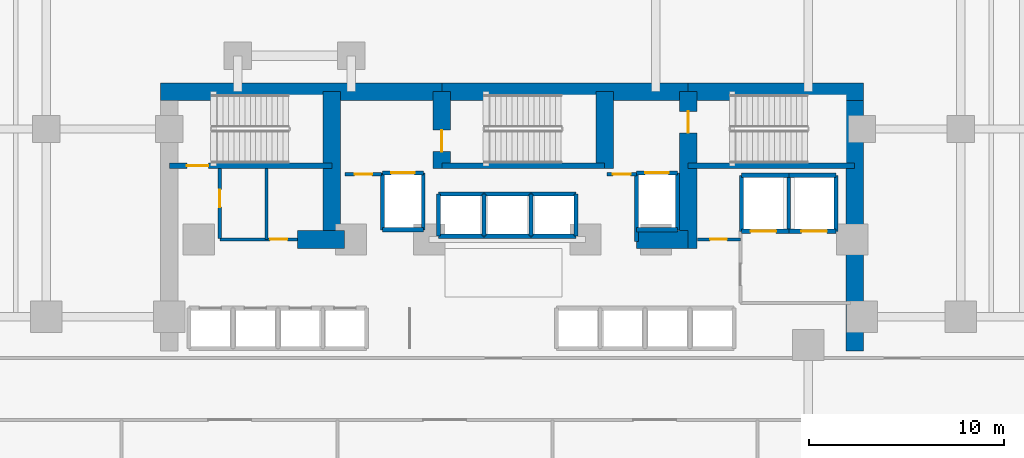
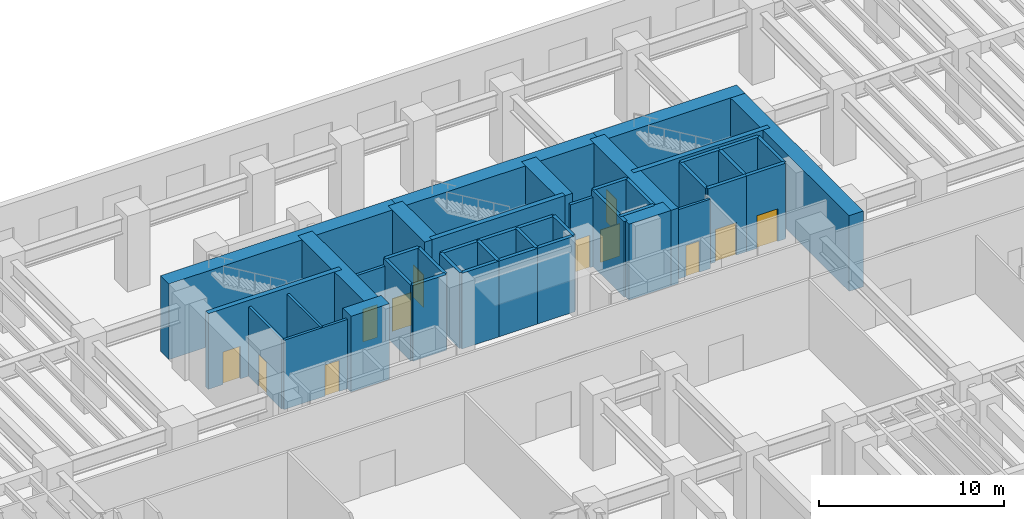
# One storey, part 14 of 20: 44 walls, 12 doors, 12 openings.
"""IFC4 building model written with IfcOpenShell, lengths in metres."""

from ifc_helpers import new_model, si_unit, direction, frame, frame_2d, origin, place, context, subcontext, project, spatial, rectangle, extrude, material, layer, layer_set, type_object, element, fill, save


model = new_model("IFC4")

# Units and contexts
model_context = context("Model", 3, precision=1e-05, world=origin(), true_north=direction((0.0, 1.0)))
body_context = subcontext(model_context, "Body", "Model", "MODEL_VIEW")
ifc_project = project(units=[si_unit("LENGTHUNIT", "METRE"), si_unit("AREAUNIT", "SQUARE_METRE"), si_unit("VOLUMEUNIT", "CUBIC_METRE"), si_unit("PLANEANGLEUNIT", "RADIAN"), si_unit("MASSUNIT", "GRAM", prefix="KILO")], contexts=[model_context])

# Site, building, storey
site_placement = place(None, origin())
site = spatial("IfcSite", under=ifc_project, at=site_placement, CompositionType="ELEMENT")
building_placement = place(site_placement, origin())
building = spatial("IfcBuilding", under=site, at=building_placement, Name="Kestravale Grand Hotel", CompositionType="ELEMENT")
storey_placement = place(building_placement, frame((0.0, 0.0, 15.800048828125)))
storey = spatial("IfcBuildingStorey", under=building, at=storey_placement, Name="L03", CompositionType="ELEMENT", Elevation=15.800048828125)

# Walls
ifc_material_1 = material(Name="Concrete f'c 70 MPa", Category="concrete")
ifc_layer_1 = layer(ifc_material_1, 0.89990234375)
ifc_layer_set_1 = layer_set([ifc_layer_1], Name="EW-CORE-900")
wall_type_1 = type_object("IfcWallType", Name="EW-CORE-900", PredefinedType="SHEAR", material=ifc_layer_set_1)
wall_1_placement = place(storey_placement, frame((21.449951171875, 40.320068359375, 0.0), z_axis=(0.0, 0.0, 1.0), x_axis=(1.0, 0.0, 0.0)))
element("IfcWall", 1, at=wall_1_placement, inside=storey, type_object=wall_type_1, Name="L03 core shear wall N1", PredefinedType="SHEAR", context=body_context, shape_type="SweptSolid", body=[
    extrude(rectangle(XDim=14.400146484375, YDim=0.89990234375, at=frame_2d((7.2001953125, 0.0))), origin(), (0.0, 0.0, 1.0), 5.0),
])
wall_2_placement = place(storey_placement, frame((35.85009765625, 40.320068359375, 0.0), z_axis=(0.0, 0.0, 1.0), x_axis=(1.0, 0.0, 0.0)))
element("IfcWall", 2, at=wall_2_placement, inside=storey, type_object=wall_type_1, Name="L03 core shear wall N2", PredefinedType="SHEAR", context=body_context, shape_type="SweptSolid", body=[
    extrude(rectangle(XDim=12.599853515625, YDim=0.89990234375, at=frame_2d((6.2998046875, 0.0))), origin(), (0.0, 0.0, 1.0), 5.0),
])
wall_3_placement = place(storey_placement, frame((48.449951171875, 40.320068359375, 0.0), z_axis=(0.0, 0.0, 1.0), x_axis=(1.0, 0.0, 0.0)))
element("IfcWall", 3, at=wall_3_placement, inside=storey, type_object=wall_type_1, Name="L03 core shear wall N3", PredefinedType="SHEAR", context=body_context, shape_type="SweptSolid", body=[
    extrude(rectangle(XDim=8.969970703125, YDim=0.89990234375, at=frame_2d((4.48486328125, 0.0))), origin(), (0.0, 0.0, 1.0), 5.0),
])
wall_4_placement = place(storey_placement, frame((56.969970703125, 27.050048828125, 0.0), z_axis=(0.0, 0.0, 1.0), x_axis=(0.0, 1.0, 0.0)))
element("IfcWall", 4, at=wall_4_placement, inside=storey, type_object=wall_type_1, Name="L03 core shear wall E1", PredefinedType="SHEAR", context=body_context, shape_type="SweptSolid", body=[
    extrude(rectangle(XDim=13.719970703125, YDim=0.89990234375, at=frame_2d((6.85986328125, 0.0))), origin(), (0.0, 0.0, 1.0), 5.0),
])
wall_5_placement = place(storey_placement, frame((28.449951171875, 32.75, 0.0), z_axis=(0.0, 0.0, 1.0), x_axis=(1.0, 0.0, 0.0)))
element("IfcWall", 5, at=wall_5_placement, inside=storey, type_object=wall_type_1, Name="L03 core shear wall S1", PredefinedType="SHEAR", context=body_context, shape_type="SweptSolid", body=[
    extrude(rectangle(XDim=2.400146484375, YDim=0.89990234375, at=frame_2d((1.2001953125, 0.0))), origin(), (0.0, 0.0, 1.0), 5.0),
])
wall_6_placement = place(storey_placement, frame((45.81005859375, 32.75, 0.0), z_axis=(0.0, 0.0, 1.0), x_axis=(1.0, 0.0, 0.0)))
element("IfcWall", 6, at=wall_6_placement, inside=storey, type_object=wall_type_1, Name="L03 core shear wall S2", PredefinedType="SHEAR", context=body_context, shape_type="SweptSolid", body=[
    extrude(rectangle(XDim=2.639892578125, YDim=0.89990234375, at=frame_2d((1.31982421875, 0.0))), origin(), (0.0, 0.0, 1.0), 5.0),
])
wall_7_placement = place(storey_placement, frame((30.219970703125, 33.199951171875, 0.0), z_axis=(0.0, 0.0, 1.0), x_axis=(0.0, 1.0, 0.0)))
element("IfcWall", 7, at=wall_7_placement, inside=storey, type_object=wall_type_1, Name="L03 core shear wall X1", PredefinedType="SHEAR", context=body_context, shape_type="SweptSolid", body=[
    extrude(rectangle(XDim=7.1201171875, YDim=0.89990234375, at=frame_2d((3.56005859375, 0.0))), origin(), (0.0, 0.0, 1.0), 5.0),
])

# Wall, opening, door
wall_8_placement = place(storey_placement, frame((35.85009765625, 36.3701171875, 0.0), z_axis=(0.0, 0.0, 1.0), x_axis=(0.0, 1.0, 0.0)))
wall_8 = element("IfcWall", 8, at=wall_8_placement, inside=storey, type_object=wall_type_1, Name="L03 core shear wall X2", PredefinedType="SHEAR", context=body_context, shape_type="SweptSolid", body=[
    extrude(rectangle(XDim=3.949951171875, YDim=0.89990234375, at=frame_2d((1.97509765625, 0.0))), origin(), (0.0, 0.0, 1.0), 5.0),
])
opening_1_placement = place(wall_8_placement, frame((0.8798828125, 0.0, 0.0)))
opening_1 = element("IfcOpeningElement", 9, at=opening_1_placement, cuts=wall_8, Name="Opening D-ST-1100", PredefinedType="OPENING", context=body_context, shape_type="SweptSolid", body=[
    extrude(rectangle(XDim=1.10009765625, YDim=2.14990234375, at=frame_2d((0.550048828125, 1.074951171875))), frame((0.0, 0.4599609375, 0.0), z_axis=(0.0, -1.0, 0.0), x_axis=(1.0, 0.0, 0.0)), (0.0, 0.0, 1.0), 0.919921875),
])
ifc_material_2 = material(Name="Galvanised 90-minute fire-rated steel stair door", Category="steel")
door_type_1 = type_object("IfcDoorType", Name="D-ST-1100", OperationType="NOTDEFINED", PredefinedType="DOOR", material=ifc_material_2)
door_1_placement = place(opening_1_placement, origin())
door_1 = element("IfcDoor", 10, at=door_1_placement, inside=storey, type_object=door_type_1, Name="L03 Stair ST-2 FSAE fire door", OperationType="SINGLE_SWING_RIGHT", OverallHeight=2.14990234375, OverallWidth=1.10009765625, PredefinedType="DOOR", context=body_context, shape_type="SweptSolid", body=[
    extrude(rectangle(XDim=1.10009765625, YDim=2.14990234375, at=frame_2d((0.550048828125, 1.074951171875))), frame((0.0, 0.02490234375, 0.0), z_axis=(0.0, -1.0, 0.0), x_axis=(1.0, 0.0, 0.0)), (0.0, 0.0, 1.0), 0.050048828125),
])
fill(opening_1, door_1)

# Wall
wall_9_placement = place(storey_placement, frame((44.179931640625, 36.3701171875, 0.0), z_axis=(0.0, 0.0, 1.0), x_axis=(0.0, 1.0, 0.0)))
element("IfcWall", 11, at=wall_9_placement, inside=storey, type_object=wall_type_1, Name="L03 core shear wall X3", PredefinedType="SHEAR", context=body_context, shape_type="SweptSolid", body=[
    extrude(rectangle(XDim=3.949951171875, YDim=0.89990234375, at=frame_2d((1.97509765625, 0.0))), origin(), (0.0, 0.0, 1.0), 5.0),
])

# Wall, opening, door
wall_10_placement = place(storey_placement, frame((48.449951171875, 32.300048828125, 0.0), z_axis=(0.0, 0.0, 1.0), x_axis=(0.0, 1.0, 0.0)))
wall_10 = element("IfcWall", 12, at=wall_10_placement, inside=storey, type_object=wall_type_1, Name="L03 core shear wall X4", PredefinedType="SHEAR", context=body_context, shape_type="SweptSolid", body=[
    extrude(rectangle(XDim=8.02001953125, YDim=0.89990234375, at=frame_2d((4.010009765625, 0.0))), origin(), (0.0, 0.0, 1.0), 5.0),
])
opening_2_placement = place(wall_10_placement, frame((5.89990234375, 0.0, 0.0)))
opening_2 = element("IfcOpeningElement", 13, at=opening_2_placement, cuts=wall_10, Name="Opening D-ST-1100", PredefinedType="OPENING", context=body_context, shape_type="SweptSolid", body=[
    extrude(rectangle(XDim=1.10009765625, YDim=2.14990234375, at=frame_2d((0.550048828125, 1.074951171875))), frame((0.0, 0.4599609375, 0.0), z_axis=(0.0, -1.0, 0.0), x_axis=(1.0, 0.0, 0.0)), (0.0, 0.0, 1.0), 0.919921875),
])
door_2_placement = place(opening_2_placement, origin())
door_2 = element("IfcDoor", 14, at=door_2_placement, inside=storey, type_object=door_type_1, Name="L03 Stair ST-3 FSAE fire door", OperationType="SINGLE_SWING_RIGHT", OverallHeight=2.14990234375, OverallWidth=1.10009765625, PredefinedType="DOOR", context=body_context, shape_type="SweptSolid", body=[
    extrude(rectangle(XDim=1.10009765625, YDim=2.14990234375, at=frame_2d((0.550048828125, 1.074951171875))), frame((0.0, 0.02490234375, 0.0), z_axis=(0.0, -1.0, 0.0), x_axis=(1.0, 0.0, 0.0)), (0.0, 0.0, 1.0), 0.050048828125),
])
fill(opening_2, door_2)

ifc_material_3 = material(Name="Concrete f'c 45 MPa", Category="concrete")
ifc_layer_2 = layer(ifc_material_3, 0.300048828125)
ifc_layer_set_2 = layer_set([ifc_layer_2], Name="EW-STAIR-300")
wall_type_2 = type_object("IfcWallType", Name="EW-STAIR-300", PredefinedType="SHEAR", material=ifc_layer_set_2)
wall_11_placement = place(storey_placement, frame((21.89990234375, 36.52001953125, 0.0), z_axis=(0.0, 0.0, 1.0), x_axis=(1.0, 0.0, 0.0)))
wall_11 = element("IfcWall", 15, at=wall_11_placement, inside=storey, type_object=wall_type_2, Name="L03 stair enclosure shear wall SST1", PredefinedType="SHEAR", context=body_context, shape_type="SweptSolid", body=[
    extrude(rectangle(XDim=8.320068359375, YDim=0.300048828125, at=frame_2d((4.16015625, 0.0))), origin(), (0.0, 0.0, 1.0), 5.0),
])
opening_3_placement = place(wall_11_placement, frame((0.89990234375, 0.0, 0.0)))
opening_3 = element("IfcOpeningElement", 16, at=opening_3_placement, cuts=wall_11, Name="Opening D-ST-1100", PredefinedType="OPENING", context=body_context, shape_type="SweptSolid", body=[
    extrude(rectangle(XDim=1.10009765625, YDim=2.14990234375, at=frame_2d((0.550048828125, 1.074951171875))), frame((0.0, 0.159912109375, 0.0), z_axis=(0.0, -1.0, 0.0), x_axis=(1.0, 0.0, 0.0)), (0.0, 0.0, 1.0), 0.320068359375),
])
door_3_placement = place(opening_3_placement, origin())
door_3 = element("IfcDoor", 17, at=door_3_placement, inside=storey, type_object=door_type_1, Name="L03 Stair ST-1 fire door", OperationType="SINGLE_SWING_RIGHT", OverallHeight=2.14990234375, OverallWidth=1.10009765625, PredefinedType="DOOR", context=body_context, shape_type="SweptSolid", body=[
    extrude(rectangle(XDim=1.10009765625, YDim=2.14990234375, at=frame_2d((0.550048828125, 1.074951171875))), frame((0.0, 0.02490234375, 0.0), z_axis=(0.0, -1.0, 0.0), x_axis=(1.0, 0.0, 0.0)), (0.0, 0.0, 1.0), 0.050048828125),
])
fill(opening_3, door_3)

# Walls
wall_12_placement = place(storey_placement, frame((35.85009765625, 36.52001953125, 0.0), z_axis=(0.0, 0.0, 1.0), x_axis=(1.0, 0.0, 0.0)))
element("IfcWall", 18, at=wall_12_placement, inside=storey, type_object=wall_type_2, Name="L03 stair enclosure shear wall SST2", PredefinedType="SHEAR", context=body_context, shape_type="SweptSolid", body=[
    extrude(rectangle(XDim=8.329833984375, YDim=0.300048828125, at=frame_2d((4.1650390625, 0.0))), origin(), (0.0, 0.0, 1.0), 5.0),
])
wall_13_placement = place(storey_placement, frame((48.449951171875, 36.52001953125, 0.0), z_axis=(0.0, 0.0, 1.0), x_axis=(1.0, 0.0, 0.0)))
element("IfcWall", 19, at=wall_13_placement, inside=storey, type_object=wall_type_2, Name="L03 stair enclosure shear wall SST3", PredefinedType="SHEAR", context=body_context, shape_type="SweptSolid", body=[
    extrude(rectangle(XDim=8.52001953125, YDim=0.300048828125, at=frame_2d((4.260009765625, 0.0))), origin(), (0.0, 0.0, 1.0), 5.0),
])

# Wall, opening, door
ifc_material_4 = material(Name="Acoustic fire-rated gypsum board partition", Category="other")
ifc_layer_3 = layer(ifc_material_4, 0.159912109375)
ifc_layer_set_3 = layer_set([ifc_layer_3], Name="IW-CORR-160")
wall_type_3 = type_object("IfcWallType", Name="IW-CORR-160", PredefinedType="PARTITIONING", material=ifc_layer_set_3)
wall_14_placement = place(storey_placement, frame((24.47998046875, 32.800048828125, 0.0), z_axis=(0.0, 0.0, 1.0), x_axis=(0.0, 1.0, 0.0)))
wall_14 = element("IfcWall", 20, at=wall_14_placement, inside=storey, type_object=wall_type_3, Name="L03 west core vestibule wall", PredefinedType="PARTITIONING", context=body_context, shape_type="SweptSolid", body=[
    extrude(rectangle(XDim=3.570068359375, YDim=0.159912109375, at=frame_2d((1.78515625, 0.0))), origin(), (0.0, 0.0, 1.0), 4.579833984375),
])
opening_4_placement = place(wall_14_placement, frame((1.603515625, 0.0, 0.0)))
opening_4 = element("IfcOpeningElement", 21, at=opening_4_placement, cuts=wall_14, Name="Opening D-SH-900", PredefinedType="OPENING", context=body_context, shape_type="SweptSolid", body=[
    extrude(rectangle(XDim=0.89990234375, YDim=2.10009765625, at=frame_2d((0.449951171875, 1.050048828125))), frame((0.0, 0.08984375, 0.0), z_axis=(0.0, -1.0, 0.0), x_axis=(1.0, 0.0, 0.0)), (0.0, 0.0, 1.0), 0.179931640625),
])
ifc_material_5 = material(Name="Galvanised 90-minute shaft and service fire door", Category="steel")
door_type_2 = type_object("IfcDoorType", Name="D-SH-900", OperationType="NOTDEFINED", PredefinedType="DOOR", material=ifc_material_5)
door_4_placement = place(opening_4_placement, origin())
door_4 = element("IfcDoor", 22, at=door_4_placement, inside=storey, type_object=door_type_2, Name="D-L03-HK", OperationType="SINGLE_SWING_RIGHT", OverallHeight=2.10009765625, OverallWidth=0.89990234375, PredefinedType="DOOR", context=body_context, shape_type="SweptSolid", body=[
    extrude(rectangle(XDim=0.89990234375, YDim=2.10009765625, at=frame_2d((0.449951171875, 1.050048828125))), frame((0.0, 0.02490234375, 0.0), z_axis=(0.0, -1.0, 0.0), x_axis=(1.0, 0.0, 0.0)), (0.0, 0.0, 1.0), 0.050048828125),
])
fill(opening_4, door_4)

wall_15_placement = place(storey_placement, frame((24.47998046875, 32.75, 0.0), z_axis=(0.0, 0.0, 1.0), x_axis=(1.0, 0.0, 0.0)))
wall_15 = element("IfcWall", 23, at=wall_15_placement, inside=storey, type_object=wall_type_3, Name="W-L03-CWS", PredefinedType="PARTITIONING", context=body_context, shape_type="SweptSolid", body=[
    extrude(rectangle(XDim=3.969970703125, YDim=0.159912109375, at=frame_2d((1.98486328125, 0.0))), origin(), (0.0, 0.0, 1.0), 4.579833984375),
])
opening_5_placement = place(wall_15_placement, frame((2.574951171875, 0.0, 0.0)))
opening_5 = element("IfcOpeningElement", 24, at=opening_5_placement, cuts=wall_15, Name="Opening D-BATH-880", PredefinedType="OPENING", context=body_context, shape_type="SweptSolid", body=[
    extrude(rectangle(XDim=0.8798828125, YDim=2.050048828125, at=frame_2d((0.43994140625, 1.02490234375))), frame((0.0, 0.08984375, 0.0), z_axis=(0.0, -1.0, 0.0), x_axis=(1.0, 0.0, 0.0)), (0.0, 0.0, 1.0), 0.179931640625),
])
ifc_material_6 = material(Name="Moisture-sealed walnut en-suite bathroom door", Category="wood")
door_type_3 = type_object("IfcDoorType", Name="D-BATH-880", OperationType="NOTDEFINED", PredefinedType="DOOR", material=ifc_material_6)
door_5_placement = place(opening_5_placement, origin())
door_5 = element("IfcDoor", 25, at=door_5_placement, inside=storey, type_object=door_type_3, Name="D-L03-SWC", OperationType="SINGLE_SWING_RIGHT", OverallHeight=2.050048828125, OverallWidth=0.8798828125, PredefinedType="DOOR", context=body_context, shape_type="SweptSolid", body=[
    extrude(rectangle(XDim=0.8798828125, YDim=2.050048828125, at=frame_2d((0.43994140625, 1.02490234375))), frame((0.0, 0.02490234375, 0.0), z_axis=(0.0, -1.0, 0.0), x_axis=(1.0, 0.0, 0.0)), (0.0, 0.0, 1.0), 0.050048828125),
])
fill(opening_5, door_5)

wall_16_placement = place(storey_placement, frame((48.919921875, 32.75, 0.0), z_axis=(0.0, 0.0, 1.0), x_axis=(1.0, 0.0, 0.0)))
wall_16 = element("IfcWall", 26, at=wall_16_placement, inside=storey, type_object=wall_type_3, Name="W-L03-CES", PredefinedType="PARTITIONING", context=body_context, shape_type="SweptSolid", body=[
    extrude(rectangle(XDim=2.2001953125, YDim=0.159912109375, at=frame_2d((1.10009765625, 0.0))), origin(), (0.0, 0.0, 1.0), 4.579833984375),
])
opening_6_placement = place(wall_16_placement, frame((0.64990234375, 0.0, 0.0)))
opening_6 = element("IfcOpeningElement", 27, at=opening_6_placement, cuts=wall_16, Name="Opening D-SH-860", PredefinedType="OPENING", context=body_context, shape_type="SweptSolid", body=[
    extrude(rectangle(XDim=0.860107421875, YDim=2.050048828125, at=frame_2d((0.43017578125, 1.02490234375))), frame((0.0, 0.08984375, 0.0), z_axis=(0.0, -1.0, 0.0), x_axis=(1.0, 0.0, 0.0)), (0.0, 0.0, 1.0), 0.179931640625),
])
ifc_material_7 = material(Name="Galvanised 90-minute riser fire door", Category="steel")
door_type_4 = type_object("IfcDoorType", Name="D-SH-860", OperationType="NOTDEFINED", PredefinedType="DOOR", material=ifc_material_7)
door_6_placement = place(opening_6_placement, origin())
door_6 = element("IfcDoor", 28, at=door_6_placement, inside=storey, type_object=door_type_4, Name="L03 CSTO1 door", OperationType="SINGLE_SWING_RIGHT", OverallHeight=2.050048828125, OverallWidth=0.860107421875, PredefinedType="DOOR", context=body_context, shape_type="SweptSolid", body=[
    extrude(rectangle(XDim=0.860107421875, YDim=2.050048828125, at=frame_2d((0.43017578125, 1.02490234375))), frame((0.0, 0.02490234375, 0.0), z_axis=(0.0, -1.0, 0.0), x_axis=(1.0, 0.0, 0.0)), (0.0, 0.0, 1.0), 0.050048828125),
])
fill(opening_6, door_6)

ifc_material_8 = material(Name="Fire-rated gypsum board on steel studs with mineral wool", Category="steel")
ifc_layer_4 = layer(ifc_material_8, 0.179931640625)
ifc_layer_set_4 = layer_set([ifc_layer_4], Name="IW-FSAE-180")
wall_type_4 = type_object("IfcWallType", Name="IW-FSAE-180", PredefinedType="PARTITIONING", material=ifc_layer_set_4)
wall_17_placement = place(storey_placement, frame((30.89990234375, 36.080078125, 0.0), z_axis=(0.0, 0.0, 1.0), x_axis=(1.0, 0.0, 0.0)))
wall_17 = element("IfcWall", 29, at=wall_17_placement, inside=storey, type_object=wall_type_4, Name="L03 FSAE Lobby 1 smoke barrier", PredefinedType="PARTITIONING", context=body_context, shape_type="SweptSolid", body=[
    extrude(rectangle(XDim=1.85009765625, YDim=0.179931640625, at=frame_2d((0.925048828125, 0.0))), origin(), (0.0, 0.0, 1.0), 4.579833984375),
])
opening_7_placement = place(wall_17_placement, frame((0.47998046875, 0.0, 0.0)))
opening_7 = element("IfcOpeningElement", 30, at=opening_7_placement, cuts=wall_17, Name="Opening D-FSAE-1000", PredefinedType="OPENING", context=body_context, shape_type="SweptSolid", body=[
    extrude(rectangle(XDim=0.89990234375, YDim=2.14990234375, at=frame_2d((0.449951171875, 1.074951171875))), frame((0.0, 0.099853515625, 0.0), z_axis=(0.0, -1.0, 0.0), x_axis=(1.0, 0.0, 0.0)), (0.0, 0.0, 1.0), 0.199951171875),
])
ifc_material_9 = material(Name="Smoke-gasketed FSAE lobby fire door", Category="steel")
door_type_5 = type_object("IfcDoorType", Name="D-FSAE-1000", OperationType="NOTDEFINED", PredefinedType="DOOR", material=ifc_material_9)
door_7_placement = place(opening_7_placement, origin())
door_7 = element("IfcDoor", 31, at=door_7_placement, inside=storey, type_object=door_type_5, Name="L03 FSAE Lobby 1 fire door", OperationType="SINGLE_SWING_RIGHT", OverallHeight=2.14990234375, OverallWidth=0.89990234375, PredefinedType="DOOR", context=body_context, shape_type="SweptSolid", body=[
    extrude(rectangle(XDim=0.89990234375, YDim=2.14990234375, at=frame_2d((0.449951171875, 1.074951171875))), frame((0.0, 0.02490234375, 0.0), z_axis=(0.0, -1.0, 0.0), x_axis=(1.0, 0.0, 0.0)), (0.0, 0.0, 1.0), 0.050048828125),
])
fill(opening_7, door_7)

wall_18_placement = place(storey_placement, frame((44.300048828125, 36.080078125, 0.0), z_axis=(0.0, 0.0, 1.0), x_axis=(1.0, 0.0, 0.0)))
wall_18 = element("IfcWall", 32, at=wall_18_placement, inside=storey, type_object=wall_type_4, Name="L03 FSAE Lobby 2 smoke barrier", PredefinedType="PARTITIONING", context=body_context, shape_type="SweptSolid", body=[
    extrude(rectangle(XDim=1.5, YDim=0.179931640625, at=frame_2d((0.75, 0.0))), origin(), (0.0, 0.0, 1.0), 4.579833984375),
])
opening_8_placement = place(wall_18_placement, frame((0.300048828125, 0.0, 0.0)))
opening_8 = element("IfcOpeningElement", 33, at=opening_8_placement, cuts=wall_18, Name="Opening D-FSAE-1000", PredefinedType="OPENING", context=body_context, shape_type="SweptSolid", body=[
    extrude(rectangle(XDim=0.89990234375, YDim=2.14990234375, at=frame_2d((0.449951171875, 1.074951171875))), frame((0.0, 0.099853515625, 0.0), z_axis=(0.0, -1.0, 0.0), x_axis=(1.0, 0.0, 0.0)), (0.0, 0.0, 1.0), 0.199951171875),
])
door_8_placement = place(opening_8_placement, origin())
door_8 = element("IfcDoor", 34, at=door_8_placement, inside=storey, type_object=door_type_5, Name="L03 FSAE Lobby 2 fire door", OperationType="SINGLE_SWING_LEFT", OverallHeight=2.14990234375, OverallWidth=0.89990234375, PredefinedType="DOOR", context=body_context, shape_type="SweptSolid", body=[
    extrude(rectangle(XDim=0.89990234375, YDim=2.14990234375, at=frame_2d((0.449951171875, 1.074951171875))), frame((0.0, 0.02490234375, 0.0), z_axis=(0.0, -1.0, 0.0), x_axis=(1.0, 0.0, 0.0)), (0.0, 0.0, 1.0), 0.050048828125),
])
fill(opening_8, door_8)

# Walls
ifc_material_10 = material(Name="Concrete f'c 45 MPa", Category="concrete")
ifc_layer_5 = layer(ifc_material_10, 0.199951171875)
ifc_layer_set_5 = layer_set([ifc_layer_5], Name="IW-SHAFT-200")
wall_type_5 = type_object("IfcWallType", Name="IW-SHAFT-200", PredefinedType="SHEAR", material=ifc_layer_set_5)
for number, where, z_axis, x_axis, name in (
    (35, (35.679931640625, 32.919921875, 0.0), (0.0, 0.0, 1.0), (0.0, 1.0, 0.0), "L03 PL-X1 west shaft wall"),
    (36, (38.0, 32.919921875, 0.0), (0.0, 0.0, 1.0), (0.0, 1.0, 0.0), "L03 PL-X2 west shaft wall"),
    (37, (40.39990234375, 32.919921875, 0.0), (0.0, 0.0, 1.0), (0.0, 1.0, 0.0), "L03 PL-X3 west shaft wall"),
    (38, (42.719970703125, 32.919921875, 0.0), (0.0, 0.0, 1.0), (0.0, 1.0, 0.0), "L03 PL-X3 east shaft wall"),
):
    element("IfcWall", number, at=place(storey_placement, frame(where, z_axis=z_axis, x_axis=x_axis)), inside=storey, type_object=wall_type_5, Name=name, PredefinedType="SHEAR", context=body_context, shape_type="SweptSolid", body=[
        extrude(rectangle(XDim=2.16015625, YDim=0.199951171875, at=frame_2d((1.080078125, 0.0))), origin(), (0.0, 0.0, 1.0), 5.0),
    ])
for number, where, z_axis, x_axis, name in (
    (39, (51.179931640625, 33.169921875, 0.0), (0.0, 0.0, 1.0), (0.0, 1.0, 0.0), "L03 SL-1 west shaft wall"),
    (40, (53.60009765625, 33.169921875, 0.0), (0.0, 0.0, 1.0), (0.0, 1.0, 0.0), "L03 SL-2 west shaft wall"),
    (41, (56.02001953125, 33.169921875, 0.0), (0.0, 0.0, 1.0), (0.0, 1.0, 0.0), "L03 SL-2 east shaft wall"),
):
    element("IfcWall", number, at=place(storey_placement, frame(where, z_axis=z_axis, x_axis=x_axis)), inside=storey, type_object=wall_type_5, Name=name, PredefinedType="SHEAR", context=body_context, shape_type="SweptSolid", body=[
        extrude(rectangle(XDim=2.860107421875, YDim=0.199951171875, at=frame_2d((1.43017578125, 0.0))), origin(), (0.0, 0.0, 1.0), 5.0),
    ])
for number, where, z_axis, x_axis, name in (
    (42, (32.804931640625, 33.2451171875, 0.0), (0.0, 0.0, 1.0), (0.0, 1.0, 0.0), "L03 FL-1 west shaft wall"),
    (43, (34.89501953125, 33.2451171875, 0.0), (0.0, 0.0, 1.0), (0.0, 1.0, 0.0), "L03 FL-1 east shaft wall"),
):
    element("IfcWall", number, at=place(storey_placement, frame(where, z_axis=z_axis, x_axis=x_axis)), inside=storey, type_object=wall_type_5, Name=name, PredefinedType="SHEAR", context=body_context, shape_type="SweptSolid", body=[
        extrude(rectangle(XDim=2.909912109375, YDim=0.199951171875, at=frame_2d((1.455078125, 0.0))), origin(), (0.0, 0.0, 1.0), 5.0),
    ])
wall_19_placement = place(storey_placement, frame((45.804931640625, 32.64990234375, 0.0), z_axis=(0.0, 0.0, 1.0), x_axis=(0.0, 1.0, 0.0)))
element("IfcWall", 44, at=wall_19_placement, inside=storey, type_object=wall_type_5, Name="L03 FL-2 west shaft wall", PredefinedType="SHEAR", context=body_context, shape_type="SweptSolid", body=[
    extrude(rectangle(XDim=3.505126953125, YDim=0.199951171875, at=frame_2d((1.75244140625, 0.0))), origin(), (0.0, 0.0, 1.0), 5.0),
])
wall_20_placement = place(storey_placement, frame((47.89501953125, 33.2451171875, 0.0), z_axis=(0.0, 0.0, 1.0), x_axis=(0.0, 1.0, 0.0)))
element("IfcWall", 45, at=wall_20_placement, inside=storey, type_object=wall_type_5, Name="L03 FL-2 east shaft wall", PredefinedType="SHEAR", context=body_context, shape_type="SweptSolid", body=[
    extrude(rectangle(XDim=2.909912109375, YDim=0.199951171875, at=frame_2d((1.455078125, 0.0))), origin(), (0.0, 0.0, 1.0), 5.0),
])
ifc_material_11 = material(Name="Concrete f'c 45 MPa", Category="concrete")
ifc_layer_6 = layer(ifc_material_11, 0.219970703125)
ifc_layer_set_6 = layer_set([ifc_layer_6], Name="IW-SHAFT-220")
wall_type_6 = type_object("IfcWallType", Name="IW-SHAFT-220", PredefinedType="SHEAR", material=ifc_layer_set_6)
for number, where, z_axis, x_axis, name in (
    (46, (35.679931640625, 35.080078125, 0.0), (0.0, 0.0, 1.0), (1.0, 0.0, 0.0), "L03 PL-X1 north shaft wall"),
    (47, (35.679931640625, 32.919921875, 0.0), (0.0, 0.0, 1.0), (1.0, 0.0, 0.0), "L03 PL-X1 south shaft wall"),
):
    element("IfcWall", number, at=place(storey_placement, frame(where, z_axis=z_axis, x_axis=x_axis)), inside=storey, type_object=wall_type_6, Name=name, PredefinedType="SHEAR", context=body_context, shape_type="SweptSolid", body=[
        extrude(rectangle(XDim=2.320068359375, YDim=0.219970703125, at=frame_2d((1.16015625, 0.0))), origin(), (0.0, 0.0, 1.0), 5.0),
    ])
for number, where, z_axis, x_axis, name in (
    (48, (38.0, 35.080078125, 0.0), (0.0, 0.0, 1.0), (1.0, 0.0, 0.0), "L03 PL-X2 north shaft wall"),
    (49, (38.0, 32.919921875, 0.0), (0.0, 0.0, 1.0), (1.0, 0.0, 0.0), "L03 PL-X2 south shaft wall"),
):
    element("IfcWall", number, at=place(storey_placement, frame(where, z_axis=z_axis, x_axis=x_axis)), inside=storey, type_object=wall_type_6, Name=name, PredefinedType="SHEAR", context=body_context, shape_type="SweptSolid", body=[
        extrude(rectangle(XDim=2.39990234375, YDim=0.219970703125, at=frame_2d((1.199951171875, 0.0))), origin(), (0.0, 0.0, 1.0), 5.0),
    ])
for number, where, z_axis, x_axis, name in (
    (50, (40.39990234375, 35.080078125, 0.0), (0.0, 0.0, 1.0), (1.0, 0.0, 0.0), "L03 PL-X3 north shaft wall"),
    (51, (40.39990234375, 32.919921875, 0.0), (0.0, 0.0, 1.0), (1.0, 0.0, 0.0), "L03 PL-X3 south shaft wall"),
):
    element("IfcWall", number, at=place(storey_placement, frame(where, z_axis=z_axis, x_axis=x_axis)), inside=storey, type_object=wall_type_6, Name=name, PredefinedType="SHEAR", context=body_context, shape_type="SweptSolid", body=[
        extrude(rectangle(XDim=2.320068359375, YDim=0.219970703125, at=frame_2d((1.16015625, 0.0))), origin(), (0.0, 0.0, 1.0), 5.0),
    ])
wall_21_placement = place(storey_placement, frame((51.179931640625, 36.030029296875, 0.0), z_axis=(0.0, 0.0, 1.0), x_axis=(1.0, 0.0, 0.0)))
element("IfcWall", 52, at=wall_21_placement, inside=storey, type_object=wall_type_6, Name="L03 SL-1 north shaft wall", PredefinedType="SHEAR", context=body_context, shape_type="SweptSolid", body=[
    extrude(rectangle(XDim=2.420166015625, YDim=0.219970703125, at=frame_2d((1.2099609375, 0.0))), origin(), (0.0, 0.0, 1.0), 5.0),
])

# Wall, opening, door
wall_22_placement = place(storey_placement, frame((51.179931640625, 33.169921875, 0.0), z_axis=(0.0, 0.0, 1.0), x_axis=(1.0, 0.0, 0.0)))
wall_22 = element("IfcWall", 53, at=wall_22_placement, inside=storey, type_object=wall_type_6, Name="L03 SL-1 south shaft wall", PredefinedType="SHEAR", context=body_context, shape_type="SweptSolid", body=[
    extrude(rectangle(XDim=2.420166015625, YDim=0.219970703125, at=frame_2d((1.2099609375, 0.0))), origin(), (0.0, 0.0, 1.0), 5.0),
])
opening_9_placement = place(wall_22_placement, frame((0.469970703125, 0.0, 0.0)))
opening_9 = element("IfcOpeningElement", 54, at=opening_9_placement, cuts=wall_22, Name="Opening LD-SVC-1300", PredefinedType="OPENING", context=body_context, shape_type="SweptSolid", body=[
    extrude(rectangle(XDim=1.300048828125, YDim=2.14990234375, at=frame_2d((0.64990234375, 1.074951171875))), frame((0.0, 0.119873046875, 0.0), z_axis=(0.0, -1.0, 0.0), x_axis=(1.0, 0.0, 0.0)), (0.0, 0.0, 1.0), 0.239990234375),
])
ifc_material_12 = material(Name="Heavy-duty service sliding elevator landing door", Category="steel")
door_type_6 = type_object("IfcDoorType", Name="LD-SVC-1300", OperationType="NOTDEFINED", PredefinedType="DOOR", material=ifc_material_12)
door_9_placement = place(opening_9_placement, origin())
door_9 = element("IfcDoor", 55, at=door_9_placement, inside=storey, type_object=door_type_6, Name="L03 SL-1 elevator landing sliding door", OperationType="DOUBLE_DOOR_SLIDING", OverallHeight=2.14990234375, OverallWidth=1.300048828125, PredefinedType="DOOR", context=body_context, shape_type="SweptSolid", body=[
    extrude(rectangle(XDim=1.300048828125, YDim=2.14990234375, at=frame_2d((0.64990234375, 1.074951171875))), frame((0.0, 0.02490234375, 0.0), z_axis=(0.0, -1.0, 0.0), x_axis=(1.0, 0.0, 0.0)), (0.0, 0.0, 1.0), 0.050048828125),
])
fill(opening_9, door_9)

# Wall
wall_23_placement = place(storey_placement, frame((53.60009765625, 36.030029296875, 0.0), z_axis=(0.0, 0.0, 1.0), x_axis=(1.0, 0.0, 0.0)))
element("IfcWall", 56, at=wall_23_placement, inside=storey, type_object=wall_type_6, Name="L03 SL-2 north shaft wall", PredefinedType="SHEAR", context=body_context, shape_type="SweptSolid", body=[
    extrude(rectangle(XDim=2.419921875, YDim=0.219970703125, at=frame_2d((1.2099609375, 0.0))), origin(), (0.0, 0.0, 1.0), 5.0),
])

# Wall, opening, door
wall_24_placement = place(storey_placement, frame((53.60009765625, 33.169921875, 0.0), z_axis=(0.0, 0.0, 1.0), x_axis=(1.0, 0.0, 0.0)))
wall_24 = element("IfcWall", 57, at=wall_24_placement, inside=storey, type_object=wall_type_6, Name="L03 SL-2 south shaft wall", PredefinedType="SHEAR", context=body_context, shape_type="SweptSolid", body=[
    extrude(rectangle(XDim=2.419921875, YDim=0.219970703125, at=frame_2d((1.2099609375, 0.0))), origin(), (0.0, 0.0, 1.0), 5.0),
])
opening_10_placement = place(wall_24_placement, frame((0.64990234375, 0.0, 0.0)))
opening_10 = element("IfcOpeningElement", 58, at=opening_10_placement, cuts=wall_24, Name="Opening LD-SVC-1300", PredefinedType="OPENING", context=body_context, shape_type="SweptSolid", body=[
    extrude(rectangle(XDim=1.300048828125, YDim=2.14990234375, at=frame_2d((0.64990234375, 1.074951171875))), frame((0.0, 0.119873046875, 0.0), z_axis=(0.0, -1.0, 0.0), x_axis=(1.0, 0.0, 0.0)), (0.0, 0.0, 1.0), 0.239990234375),
])
door_10_placement = place(opening_10_placement, origin())
door_10 = element("IfcDoor", 59, at=door_10_placement, inside=storey, type_object=door_type_6, Name="L03 SL-2 elevator landing sliding door", OperationType="DOUBLE_DOOR_SLIDING", OverallHeight=2.14990234375, OverallWidth=1.300048828125, PredefinedType="DOOR", context=body_context, shape_type="SweptSolid", body=[
    extrude(rectangle(XDim=1.300048828125, YDim=2.14990234375, at=frame_2d((0.64990234375, 1.074951171875))), frame((0.0, 0.02490234375, 0.0), z_axis=(0.0, -1.0, 0.0), x_axis=(1.0, 0.0, 0.0)), (0.0, 0.0, 1.0), 0.050048828125),
])
fill(opening_10, door_10)

wall_25_placement = place(storey_placement, frame((32.804931640625, 36.155029296875, 0.0), z_axis=(0.0, 0.0, 1.0), x_axis=(1.0, 0.0, 0.0)))
wall_25 = element("IfcWall", 60, at=wall_25_placement, inside=storey, type_object=wall_type_6, Name="L03 FL-1 north shaft wall", PredefinedType="SHEAR", context=body_context, shape_type="SweptSolid", body=[
    extrude(rectangle(XDim=2.090087890625, YDim=0.219970703125, at=frame_2d((1.044921875, 0.0))), origin(), (0.0, 0.0, 1.0), 5.0),
])
opening_11_placement = place(wall_25_placement, frame((0.445068359375, 0.0, 0.0)))
opening_11 = element("IfcOpeningElement", 61, at=opening_11_placement, cuts=wall_25, Name="Opening LD-FSAE-1200", PredefinedType="OPENING", context=body_context, shape_type="SweptSolid", body=[
    extrude(rectangle(XDim=1.199951171875, YDim=2.14990234375, at=frame_2d((0.60009765625, 1.074951171875))), frame((0.0, 0.119873046875, 0.0), z_axis=(0.0, -1.0, 0.0), x_axis=(1.0, 0.0, 0.0)), (0.0, 0.0, 1.0), 0.239990234375),
])
ifc_material_13 = material(Name="Stainless fire-service sliding elevator landing door", Category="steel")
door_type_7 = type_object("IfcDoorType", Name="LD-FSAE-1200", OperationType="NOTDEFINED", PredefinedType="DOOR", material=ifc_material_13)
door_11_placement = place(opening_11_placement, origin())
door_11 = element("IfcDoor", 62, at=door_11_placement, inside=storey, type_object=door_type_7, Name="L03 FL-1 elevator landing sliding door", OperationType="DOUBLE_DOOR_SLIDING", OverallHeight=2.14990234375, OverallWidth=1.199951171875, PredefinedType="DOOR", context=body_context, shape_type="SweptSolid", body=[
    extrude(rectangle(XDim=1.199951171875, YDim=2.14990234375, at=frame_2d((0.60009765625, 1.074951171875))), frame((0.0, 0.02490234375, 0.0), z_axis=(0.0, -1.0, 0.0), x_axis=(1.0, 0.0, 0.0)), (0.0, 0.0, 1.0), 0.050048828125),
])
fill(opening_11, door_11)

# Wall
wall_26_placement = place(storey_placement, frame((32.804931640625, 33.2451171875, 0.0), z_axis=(0.0, 0.0, 1.0), x_axis=(1.0, 0.0, 0.0)))
element("IfcWall", 63, at=wall_26_placement, inside=storey, type_object=wall_type_6, Name="L03 FL-1 south shaft wall", PredefinedType="SHEAR", context=body_context, shape_type="SweptSolid", body=[
    extrude(rectangle(XDim=2.090087890625, YDim=0.219970703125, at=frame_2d((1.044921875, 0.0))), origin(), (0.0, 0.0, 1.0), 5.0),
])

# Wall, opening, door
wall_27_placement = place(storey_placement, frame((45.804931640625, 36.155029296875, 0.0), z_axis=(0.0, 0.0, 1.0), x_axis=(1.0, 0.0, 0.0)))
wall_27 = element("IfcWall", 64, at=wall_27_placement, inside=storey, type_object=wall_type_6, Name="L03 FL-2 north shaft wall", PredefinedType="SHEAR", context=body_context, shape_type="SweptSolid", body=[
    extrude(rectangle(XDim=2.090087890625, YDim=0.219970703125, at=frame_2d((1.044921875, 0.0))), origin(), (0.0, 0.0, 1.0), 5.0),
])
opening_12_placement = place(wall_27_placement, frame((0.445068359375, 0.0, 0.0)))
opening_12 = element("IfcOpeningElement", 65, at=opening_12_placement, cuts=wall_27, Name="Opening LD-FSAE-1200", PredefinedType="OPENING", context=body_context, shape_type="SweptSolid", body=[
    extrude(rectangle(XDim=1.199951171875, YDim=2.14990234375, at=frame_2d((0.60009765625, 1.074951171875))), frame((0.0, 0.119873046875, 0.0), z_axis=(0.0, -1.0, 0.0), x_axis=(1.0, 0.0, 0.0)), (0.0, 0.0, 1.0), 0.239990234375),
])
door_12_placement = place(opening_12_placement, origin())
door_12 = element("IfcDoor", 66, at=door_12_placement, inside=storey, type_object=door_type_7, Name="L03 FL-2 elevator landing sliding door", OperationType="DOUBLE_DOOR_SLIDING", OverallHeight=2.14990234375, OverallWidth=1.199951171875, PredefinedType="DOOR", context=body_context, shape_type="SweptSolid", body=[
    extrude(rectangle(XDim=1.199951171875, YDim=2.14990234375, at=frame_2d((0.60009765625, 1.074951171875))), frame((0.0, 0.02490234375, 0.0), z_axis=(0.0, -1.0, 0.0), x_axis=(1.0, 0.0, 0.0)), (0.0, 0.0, 1.0), 0.050048828125),
])
fill(opening_12, door_12)

# Walls
wall_28_placement = place(storey_placement, frame((45.804931640625, 33.2451171875, 0.0), z_axis=(0.0, 0.0, 1.0), x_axis=(1.0, 0.0, 0.0)))
element("IfcWall", 67, at=wall_28_placement, inside=storey, type_object=wall_type_6, Name="L03 FL-2 south shaft wall", PredefinedType="SHEAR", context=body_context, shape_type="SweptSolid", body=[
    extrude(rectangle(XDim=2.090087890625, YDim=0.219970703125, at=frame_2d((1.044921875, 0.0))), origin(), (0.0, 0.0, 1.0), 5.0),
])
ifc_material_14 = material(Name="Double-stud STC 52 acoustic demising partition", Category="other")
ifc_layer_7 = layer(ifc_material_14, 0.14990234375)
ifc_layer_set_7 = layer_set([ifc_layer_7], Name="IW-UNIT-150")
wall_type_7 = type_object("IfcWallType", Name="IW-UNIT-150", PredefinedType="PARTITIONING", material=ifc_layer_set_7)
wall_29_placement = place(storey_placement, frame((26.8798828125, 32.75, 0.0), z_axis=(0.0, 0.0, 1.0), x_axis=(0.0, 1.0, 0.0)))
element("IfcWall", 68, at=wall_29_placement, inside=storey, type_object=wall_type_7, Name="W-L03-CC3-V", PredefinedType="PARTITIONING", context=body_context, shape_type="SweptSolid", body=[
    extrude(rectangle(XDim=3.6201171875, YDim=0.14990234375, at=frame_2d((1.81005859375, 0.0))), origin(), (0.0, 0.0, 1.0), 4.579833984375),
])

save(model, "model.ifc")
